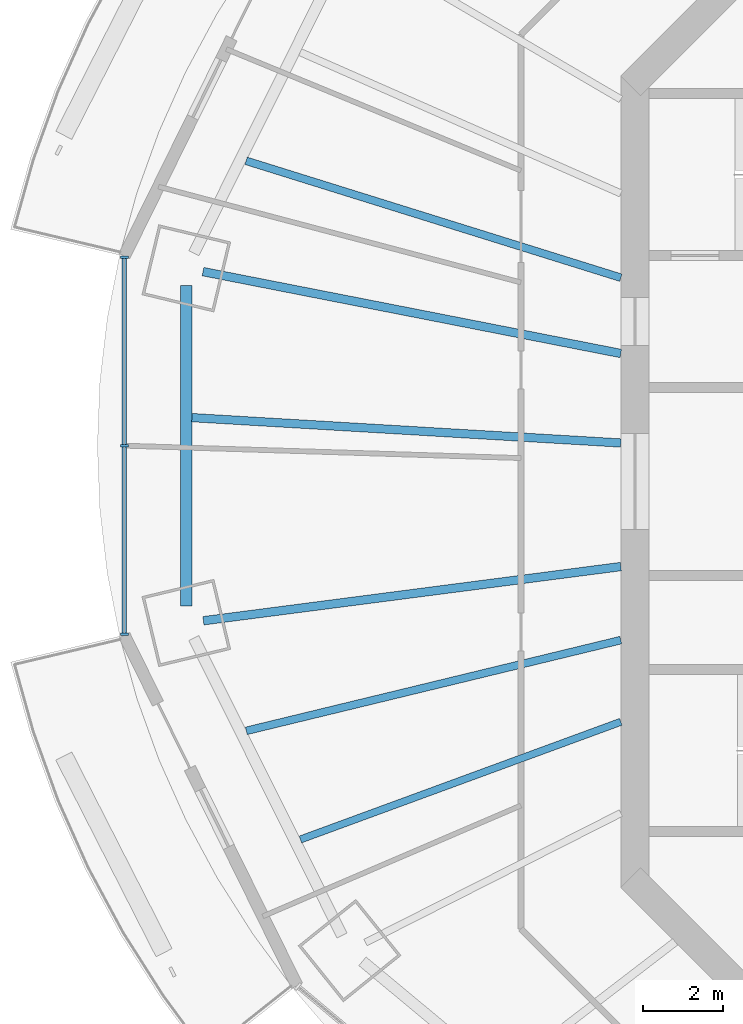
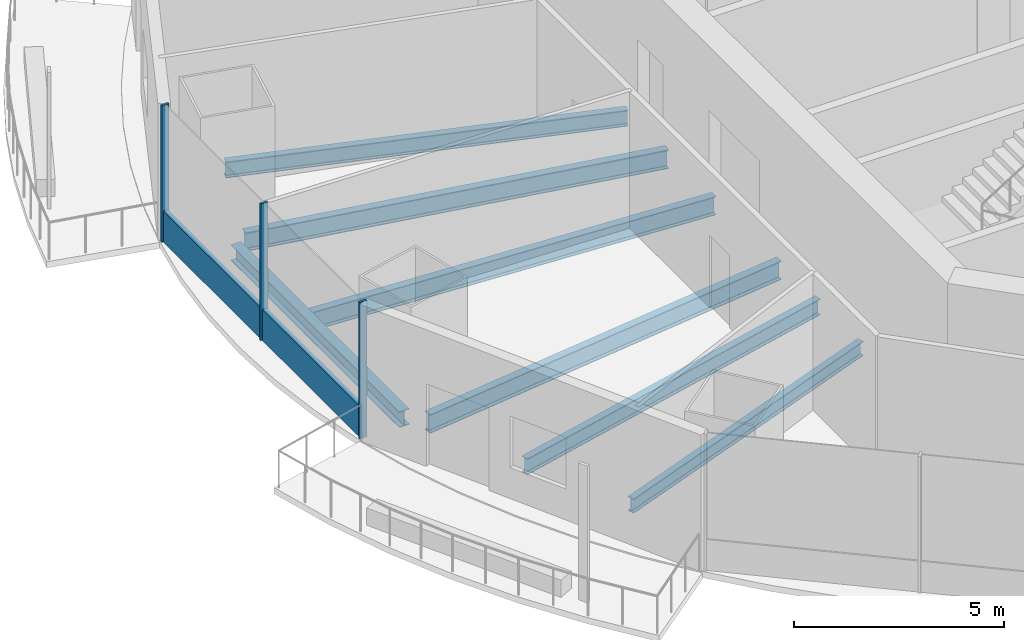
# One storey, part 3 of 16: 7 beams, 4 members, 1 element without a shape of its own.
"""IFC4 building model written with IfcOpenShell, lengths in metres."""

from ifc_helpers import new_model, si_unit, direction, frame, origin, origin_2d, place, context, subcontext, project, spatial, rectangle, i_section, extrude, material, material_profile, profile_set, type_object, element, aggregate, save


model = new_model("IFC4")

# Units and contexts
model_context = context("Model", 3, precision=1e-05, world=origin(), true_north=direction((0.0, 1.0)))
body_context = subcontext(model_context, "Body", "Model", "MODEL_VIEW")
ifc_project = project(units=[si_unit("LENGTHUNIT", "METRE"), si_unit("AREAUNIT", "SQUARE_METRE"), si_unit("VOLUMEUNIT", "CUBIC_METRE"), si_unit("PLANEANGLEUNIT", "RADIAN"), si_unit("MASSUNIT", "GRAM", prefix="KILO")], contexts=[model_context])

# Site, building, storey
site_placement = place(None, origin())
site = spatial("IfcSite", under=ifc_project, at=site_placement, CompositionType="ELEMENT")
building_placement = place(site_placement, origin())
building = spatial("IfcBuilding", under=site, at=building_placement, Name="Marenthal Gate Tower", CompositionType="ELEMENT")
storey_placement = place(building_placement, frame((0.0, 0.0, 292.800048828125)))
storey = spatial("IfcBuildingStorey", under=building, at=storey_placement, Name="L65", CompositionType="ELEMENT", Elevation=292.800048828125)

# Curtain wall, members
ifc_material_1 = material(Name="Aluminium and glass", Category="aluminium")
curtain_wall_type = type_object("IfcCurtainWallType", Name="Curtain wall typical high", PredefinedType="NOTDEFINED", material=ifc_material_1)
curtain_wall_placement = place(storey_placement, origin())
curtain_wall = element("IfcCurtainWall", 1, at=curtain_wall_placement, inside=storey, type_object=curtain_wall_type, Name="Curtain wall L65 bay 8", PredefinedType="NOTDEFINED")
ifc_material_2 = material(Name="Aluminium", Category="aluminium")
ifc_material_profile_1 = material_profile(ifc_material_2, rectangle(XDim=0.199951171875, YDim=0.06005859375, at=origin_2d()), Name="60x200 aluminium mullion")
ifc_profile_set_1 = profile_set([ifc_material_profile_1], Name="Aluminium")
member_type_1 = type_object("IfcMemberType", Name="Mullion 60x200 typical high", PredefinedType="MULLION", material=ifc_profile_set_1)
member_1_placement = place(storey_placement, frame((-28.76220703125, 5.611328125, 0.0), z_axis=(0.0, 0.0, 1.0), x_axis=(1.0, 0.0, 0.0)))
member_1 = element("IfcMember", 2, at=member_1_placement, type_object=member_type_1, Name="Mullion L65 bay 8.1", PredefinedType="MULLION", context=body_context, shape_type="SweptSolid", body=[
    extrude(rectangle(XDim=0.199951171875, YDim=0.06005859375, at=origin_2d()), origin(), (0.0, 0.0, 1.0), 3.969970703125),
])
member_2_placement = place(storey_placement, frame((-28.76220703125, 0.89990234375, 0.0), z_axis=(0.0, 0.0, 1.0), x_axis=(1.0, 0.0, 0.0)))
member_2 = element("IfcMember", 3, at=member_2_placement, type_object=member_type_1, Name="Mullion L65 bay 8.2", PredefinedType="MULLION", context=body_context, shape_type="SweptSolid", body=[
    extrude(rectangle(XDim=0.199951171875, YDim=0.06005859375, at=origin_2d()), origin(), (0.0, 0.0, 1.0), 3.969970703125),
])
member_3_placement = place(storey_placement, frame((-28.76220703125, -3.811279296875, 0.0), z_axis=(0.0, 0.0, 1.0), x_axis=(1.0, 0.0, 0.0)))
member_3 = element("IfcMember", 4, at=member_3_placement, type_object=member_type_1, Name="Mullion L65 bay 8.3", PredefinedType="MULLION", context=body_context, shape_type="SweptSolid", body=[
    extrude(rectangle(XDim=0.199951171875, YDim=0.06005859375, at=origin_2d()), origin(), (0.0, 0.0, 1.0), 3.969970703125),
])
ifc_material_3 = material(Name="Aluminium", Category="aluminium")
ifc_material_profile_2 = material_profile(ifc_material_3, rectangle(XDim=0.1201171875, YDim=0.89990234375, at=origin_2d()), Name="120x900 aluminium transom")
ifc_profile_set_2 = profile_set([ifc_material_profile_2], Name="Aluminium")
member_type_2 = type_object("IfcMemberType", Name="Transom 120x900 typical high", PredefinedType="USERDEFINED", material=ifc_profile_set_2)
member_4_placement = place(storey_placement, frame((-28.76220703125, 5.581298828125, 0.449951171875), z_axis=(0.0, -1.0, 0.0), x_axis=(1.0, 0.0, 0.0)))
member_4 = element("IfcMember", 5, at=member_4_placement, type_object=member_type_2, Name="Transom L65 bay 8", ObjectType="TRANSOM", PredefinedType="USERDEFINED", context=body_context, shape_type="SweptSolid", body=[
    extrude(rectangle(XDim=0.1201171875, YDim=0.89990234375, at=origin_2d()), origin(), (0.0, 0.0, 1.0), 9.362548828125),
])
aggregate(curtain_wall, [member_1, member_2, member_3, member_4])

# Beams
ifc_material_4 = material(Name="Steel S355", Category="steel")
ifc_material_profile_3 = material_profile(ifc_material_4, i_section(OverallWidth=0.180908203125, OverallDepth=0.4169921875, WebThickness=0.010986328125, FlangeThickness=0.018310546875, FilletRadius=0.01025390625, at=origin_2d()), Name="W410X85")
ifc_profile_set_3 = profile_set([ifc_material_profile_3], Name="Steel S355")
beam_type_1 = type_object("IfcBeamType", Name="W410X85 beam", PredefinedType="BEAM", material=ifc_profile_set_3)
beam_1_placement = place(storey_placement, frame((-24.359619140625, -8.9453125, -0.388427734375), z_axis=(0.938711900475, 0.344702723962, 0.0), x_axis=(-0.344702723962, 0.938711900475, 0.0)))
element("IfcBeam", 6, at=beam_1_placement, inside=storey, type_object=beam_type_1, Name="BM-L65-30", PredefinedType="BEAM", context=body_context, shape_type="SweptSolid", body=[
    extrude(i_section(OverallWidth=0.180908203125, OverallDepth=0.4169921875, WebThickness=0.010986328125, FlangeThickness=0.018310546875, FilletRadius=0.01025390625, at=origin_2d()), origin(), (0.0, 0.0, 1.0), 8.532470703125),
])
ifc_material_5 = material(Name="Steel S355", Category="steel")
ifc_material_profile_4 = material_profile(ifc_material_5, i_section(OverallWidth=0.279052734375, OverallDepth=0.4619140625, WebThickness=0.0107421875, FlangeThickness=0.017333984375, FilletRadius=0.010009765625, at=origin_2d()), Name="W460X113")
ifc_profile_set_4 = profile_set([ifc_material_profile_4], Name="Steel S355")
beam_type_2 = type_object("IfcBeamType", Name="W460X113 beam", PredefinedType="BEAM", material=ifc_profile_set_4)
beam_2_placement = place(storey_placement, frame((-27.212646484375, 4.90771484375, -0.4111328125), z_axis=(0.0, -1.0, 0.0), x_axis=(1.0, 0.0, 0.0)))
element("IfcBeam", 7, at=beam_2_placement, inside=storey, type_object=beam_type_2, Name="BM-L65-48", PredefinedType="BEAM", context=body_context, shape_type="SweptSolid", body=[
    extrude(i_section(OverallWidth=0.279052734375, OverallDepth=0.4619140625, WebThickness=0.0107421875, FlangeThickness=0.017333984375, FilletRadius=0.010009765625, at=origin_2d()), origin(), (0.0, 0.0, 1.0), 8.015380859375),
])
ifc_material_6 = material(Name="Steel S355", Category="steel")
ifc_material_profile_5 = material_profile(ifc_material_6, i_section(OverallWidth=0.193115234375, OverallDepth=0.467041015625, WebThickness=0.011474609375, FlangeThickness=0.01904296875, FilletRadius=0.010009765625, at=origin_2d()), Name="W460X97")
ifc_profile_set_5 = profile_set([ifc_material_profile_5], Name="Steel S355")
beam_type_3 = type_object("IfcBeamType", Name="W460X97 beam", PredefinedType="BEAM", material=ifc_profile_set_5)
beam_3_placement = place(storey_placement, frame((-25.71728515625, 8.021240234375, -0.41357421875), z_axis=(0.954642758958, -0.297753594048, 0.0), x_axis=(0.297753594048, 0.954642758958, 0.0)))
element("IfcBeam", 8, at=beam_3_placement, inside=storey, type_object=beam_type_3, Name="BM-L65-27", PredefinedType="BEAM", context=body_context, shape_type="SweptSolid", body=[
    extrude(i_section(OverallWidth=0.193115234375, OverallDepth=0.467041015625, WebThickness=0.011474609375, FlangeThickness=0.01904296875, FilletRadius=0.010009765625, at=origin_2d()), origin(), (0.0, 0.0, 1.0), 9.812255859375),
])
beam_4_placement = place(storey_placement, frame((-25.712890625, -6.229736328125, -0.41357421875), z_axis=(0.971878935492, 0.235481070889, 0.0), x_axis=(-0.235481070889, 0.971878935492, 0.0)))
element("IfcBeam", 9, at=beam_4_placement, inside=storey, type_object=beam_type_3, Name="BM-L65-29", PredefinedType="BEAM", context=body_context, shape_type="SweptSolid", body=[
    extrude(i_section(OverallWidth=0.193115234375, OverallDepth=0.467041015625, WebThickness=0.011474609375, FlangeThickness=0.01904296875, FilletRadius=0.010009765625, at=origin_2d()), origin(), (0.0, 0.0, 1.0), 9.6337890625),
])
ifc_material_7 = material(Name="Steel S355", Category="steel")
ifc_material_profile_6 = material_profile(ifc_material_7, i_section(OverallWidth=0.2099609375, OverallDepth=0.535888671875, WebThickness=0.010986328125, FlangeThickness=0.017333984375, FilletRadius=0.0126953125, at=origin_2d()), Name="W530X101")
ifc_profile_set_6 = profile_set([ifc_material_profile_6], Name="Steel S355")
beam_type_4 = type_object("IfcBeamType", Name="W530X101 beam", PredefinedType="BEAM", material=ifc_profile_set_6)
beam_5_placement = place(storey_placement, frame((-27.0732421875, 1.60107421875, -0.447998046875), z_axis=(0.998255197451, -0.059047106302, 0.0), x_axis=(0.059047106302, 0.998255197451, 0.0)))
element("IfcBeam", 10, at=beam_5_placement, inside=storey, type_object=beam_type_4, Name="BM-L65-28", PredefinedType="BEAM", context=body_context, shape_type="SweptSolid", body=[
    extrude(i_section(OverallWidth=0.2099609375, OverallDepth=0.535888671875, WebThickness=0.010986328125, FlangeThickness=0.017333984375, FilletRadius=0.0126953125, at=origin_2d()), origin(), (0.0, 0.0, 1.0), 10.741943359375),
])
ifc_material_8 = material(Name="Steel S355", Category="steel")
ifc_material_profile_7 = material_profile(ifc_material_8, i_section(OverallWidth=0.2119140625, OverallDepth=0.5439453125, WebThickness=0.01318359375, FlangeThickness=0.021240234375, FilletRadius=0.0126953125, at=origin_2d()), Name="W530X123")
ifc_profile_set_7 = profile_set([ifc_material_profile_7], Name="Steel S355")
beam_type_5 = type_object("IfcBeamType", Name="W530X123 beam", PredefinedType="BEAM", material=ifc_profile_set_7)
beam_6_placement = place(storey_placement, frame((-26.794921875, 5.251220703125, -0.4521484375), z_axis=(0.9813294573, -0.192334334521, 0.0), x_axis=(0.192334334521, 0.9813294573, 0.0)))
element("IfcBeam", 11, at=beam_6_placement, inside=storey, type_object=beam_type_5, Name="BM-L65-08", PredefinedType="BEAM", context=body_context, shape_type="SweptSolid", body=[
    extrude(i_section(OverallWidth=0.2119140625, OverallDepth=0.5439453125, WebThickness=0.01318359375, FlangeThickness=0.021240234375, FilletRadius=0.0126953125, at=origin_2d()), origin(), (0.0, 0.0, 1.0), 10.6435546875),
])
beam_7_placement = place(storey_placement, frame((-26.785888671875, -3.4775390625, -0.4521484375), z_axis=(0.991678883183, 0.128736135753, 0.0), x_axis=(-0.128736135753, 0.991678883183, 0.0)))
element("IfcBeam", 12, at=beam_7_placement, inside=storey, type_object=beam_type_5, Name="BM-L65-09", PredefinedType="BEAM", context=body_context, shape_type="SweptSolid", body=[
    extrude(i_section(OverallWidth=0.2119140625, OverallDepth=0.5439453125, WebThickness=0.01318359375, FlangeThickness=0.021240234375, FilletRadius=0.0126953125, at=origin_2d()), origin(), (0.0, 0.0, 1.0), 10.5234375),
])

save(model, "model.ifc")
